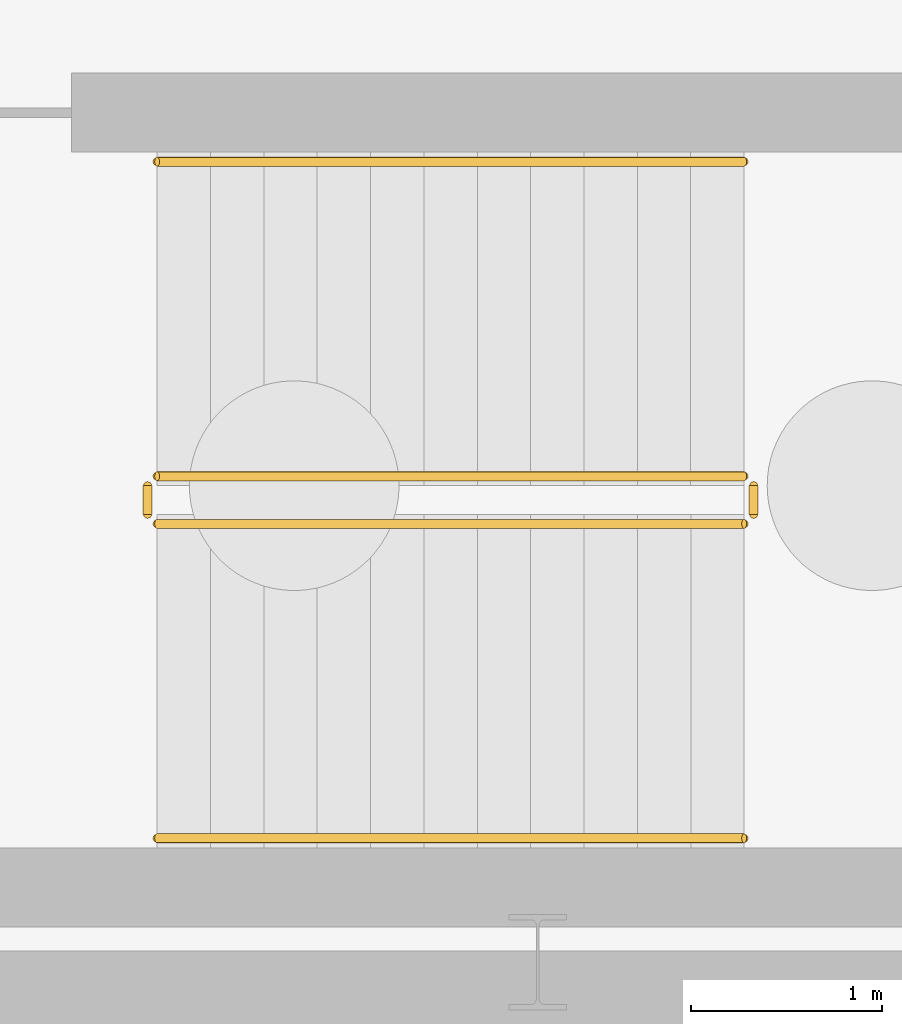
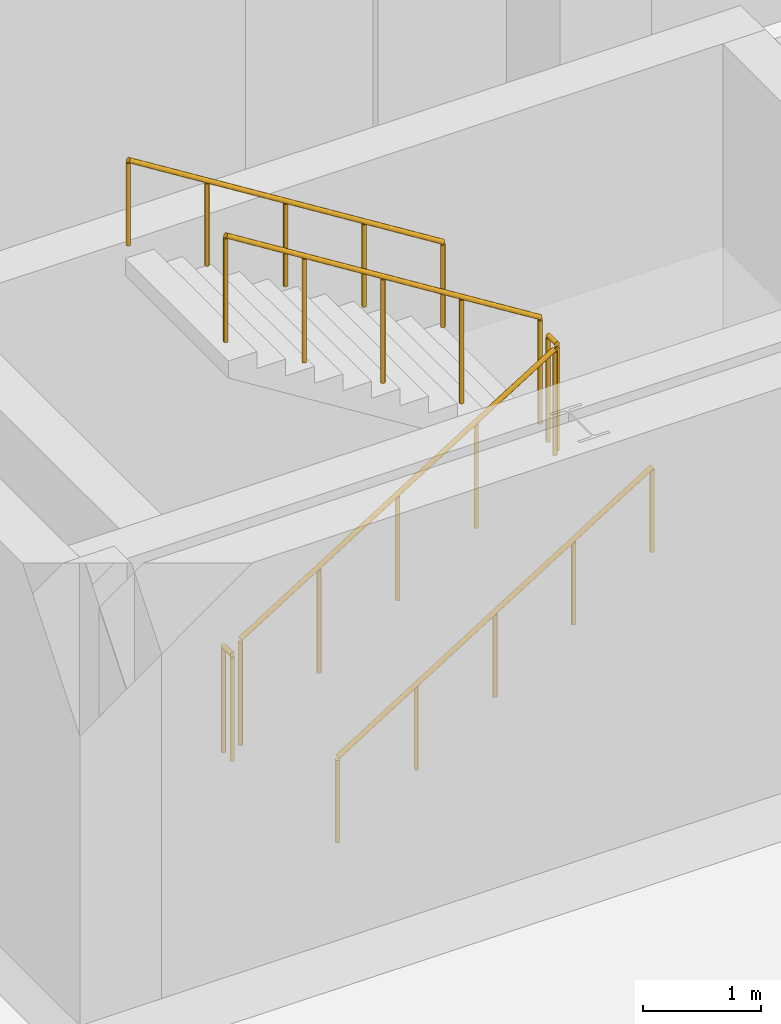
# One storey, part 25 of 31: 6 railings.
"""IFC4 building model written with IfcOpenShell, lengths in metres."""

import ifcopenshell
import ifcopenshell.guid

model = None  # the IFC model being written
_history = None  # IfcOwnerHistory: only IFC2X3 demands one
_inside = {}  # id of a spatial element -> (the spatial element, [elements in it])
_under = {}  # id of a project, library or spatial element -> (it, [spatial elements below it])
_declared = {}  # id of a project -> (the project, [libraries it declares])
_typed = {}  # id of a type object -> (the type object, [elements of that type])
_made_of = {}  # id of a material, layer set ... -> (it, [elements and type objects made of it])


def new_model(schema):
    """Start an empty IFC model of exactly this schema.

    Asked for "IFC4X3", IfcOpenShell would pick the latest addendum, in which some entities
    have other attributes; the version numbers below select the first issue.
    IFC2X3 requires an IfcOwnerHistory on every rooted entity: one is made here for all.
    """
    global model, _history
    if schema == "IFC4X3":
        model = ifcopenshell.file(schema_version=(4, 3, 0, 0))
    else:
        model = ifcopenshell.file(schema=schema)
    _inside.clear()
    _under.clear()
    _declared.clear()
    _typed.clear()
    _made_of.clear()
    _history = None
    if model.schema == "IFC2X3":
        org = make("IfcOrganization", Name="unknown")
        user = make(
            "IfcPersonAndOrganization",
            ThePerson=make("IfcPerson", FamilyName="unknown"),
            TheOrganization=org,
        )
        app = make(
            "IfcApplication",
            ApplicationDeveloper=org,
            Version="unknown",
            ApplicationFullName="unknown",
            ApplicationIdentifier="unknown",
        )
        _history = make(
            "IfcOwnerHistory",
            OwningUser=user,
            OwningApplication=app,
            ChangeAction="ADDED",
            CreationDate=0,
        )
    return model


def make(cls, **values):
    """One entity of the class cls with the attributes given. An attribute that is None is left unset."""
    return model.create_entity(
        cls, **{name: value for name, value in values.items() if value is not None}
    )


def rooted(cls, **values):
    """An entity with a GlobalId (a new one), such as an element, a storey or a relation."""
    return make(cls, GlobalId=ifcopenshell.guid.new(), OwnerHistory=_history, **values)


def si_unit(unit_type, name, prefix=None):
    """IfcSIUnit, for example si_unit("LENGTHUNIT", "METRE", prefix="MILLI")."""
    return make("IfcSIUnit", UnitType=unit_type, Prefix=prefix, Name=name)


def assignment(units):
    """IfcUnitAssignment: the units of a project."""
    return None if units is None else make("IfcUnitAssignment", Units=units)


def point(xyz):
    """IfcCartesianPoint."""
    return None if xyz is None else make("IfcCartesianPoint", Coordinates=xyz)


def direction(xyz):
    """IfcDirection."""
    return None if xyz is None else make("IfcDirection", DirectionRatios=xyz)


def frame(location, z_axis=None, x_axis=None):
    """IfcAxis2Placement3D, a coordinate frame: its origin and axes. An axis left out is left unset."""
    return make(
        "IfcAxis2Placement3D",
        Location=point(location),
        Axis=direction(z_axis),
        RefDirection=direction(x_axis),
    )


def frame_2d(location, x_axis=None):
    """IfcAxis2Placement2D, a coordinate frame in the plane: its origin and x axis."""
    return make(
        "IfcAxis2Placement2D", Location=point(location), RefDirection=direction(x_axis)
    )


def origin():
    """The frame at (0, 0, 0) with its axes left unset."""
    return frame((0.0, 0.0, 0.0))


def origin_2d():
    """The frame at (0, 0) in the plane with its x axis left unset."""
    return frame_2d((0.0, 0.0))


def place(relative_to, where):
    """IfcLocalPlacement: puts the frame where relative to a parent placement (None: the world)."""
    return make(
        "IfcLocalPlacement", PlacementRelTo=relative_to, RelativePlacement=where
    )


def context(
    kind, dimensions, precision=None, world=None, true_north=None, identifier=None
):
    """IfcGeometricRepresentationContext, for example the 3D "Model" context."""
    return make(
        "IfcGeometricRepresentationContext",
        ContextIdentifier=identifier,
        ContextType=kind,
        CoordinateSpaceDimension=dimensions,
        Precision=precision,
        WorldCoordinateSystem=world,
        TrueNorth=true_north,
    )


def subcontext(parent, identifier, kind, view, scale=None):
    """IfcGeometricRepresentationSubContext, for example "Body" below "Model"."""
    return make(
        "IfcGeometricRepresentationSubContext",
        ContextIdentifier=identifier,
        ContextType=kind,
        ParentContext=parent,
        TargetScale=scale,
        TargetView=view,
    )


def project(units=None, contexts=None):
    """IfcProject with its units and contexts."""
    return rooted(
        "IfcProject",
        Name="project",
        RepresentationContexts=contexts,
        UnitsInContext=assignment(units),
    )


def spatial(cls, under=None, at=None, **own):
    """A site, building, storey or space (cls), placed at a placement, below another one or the project."""
    s = rooted(cls, ObjectPlacement=at, **own)
    if under is not None:
        _under.setdefault(under.id(), (under, []))[1].append(s)
    return s


def profile(cls, at=None, kind="AREA", **sizes):
    """A parametric profile (cls). Its sizes go by their IFC names, for example OverallWidth=200.0."""
    return make(cls, ProfileType=kind, Position=at, **sizes)


def circle(**sizes):
    """IfcCircleProfileDef."""
    return profile("IfcCircleProfileDef", **sizes)


def extrude(swept, where, along, depth):
    """IfcExtrudedAreaSolid: the profile swept, set in the frame where, extruded along a direction by depth."""
    return make(
        "IfcExtrudedAreaSolid",
        SweptArea=swept,
        Position=where,
        ExtrudedDirection=direction(along),
        Depth=depth,
    )


def shape(context_of_items, identifier, shape_type, items):
    """IfcShapeRepresentation: the items that make up one representation, for example the "Body"."""
    return make(
        "IfcShapeRepresentation",
        ContextOfItems=context_of_items,
        RepresentationIdentifier=identifier,
        RepresentationType=shape_type,
        Items=items,
    )


def material(Name=None, Category=None):
    """IfcMaterial."""
    return make("IfcMaterial", Name=Name, Category=Category)


def made_of(thing, what):
    """Note that an element or type object is made of a material, layer set ...; save() writes the relation."""
    if what is not None:
        _made_of.setdefault(what.id(), (what, []))[1].append(thing)
    return thing


def type_object(cls, material=None, **own):
    """A type object (cls), such as IfcWallType, which elements share."""
    return made_of(rooted(cls, **own), material)


def element(
    cls,
    number,
    at=None,
    inside=None,
    cuts=None,
    type_object=None,
    material=None,
    context=None,
    identifier="Body",
    shape_type=None,
    held_by="IfcProductDefinitionShape",
    body=None,
    shapes=None,
    **own,
):
    """One element of the class cls, such as IfcWall. Its Tag is "e" and its number.

    at: its placement. inside: the storey or other place that contains it. cuts: it is an
    opening in that element (IfcRelVoidsElement). A single representation is given by context,
    identifier, shape_type and body (its items); several are given by shapes. held_by: the class
    of the entity that holds the representations. save() writes the other relations.
    """
    e = rooted(cls, Tag="e%d" % number, ObjectPlacement=at, **own)
    if body is not None:
        shapes = [shape(context, identifier, shape_type, body)]
    if shapes is not None:
        e.Representation = make(held_by, Representations=shapes)
    if inside is not None:
        _inside.setdefault(inside.id(), (inside, []))[1].append(e)
    if cuts is not None:
        rooted(
            "IfcRelVoidsElement", RelatingBuildingElement=cuts, RelatedOpeningElement=e
        )
    if type_object is not None:
        _typed.setdefault(type_object.id(), (type_object, []))[1].append(e)
    return made_of(e, material)


def aggregate(whole, parts):
    """IfcRelAggregates: a whole, such as a stair, and the parts it consists of."""
    return rooted("IfcRelAggregates", RelatingObject=whole, RelatedObjects=parts)


def save(model, path):
    """Write the relations noted so far, then the file.

    IfcRelAggregates (storeys below a building ...), IfcRelContainedInSpatialStructure (elements
    in a storey), IfcRelDefinesByType, IfcRelAssociatesMaterial and IfcRelDeclares: one each for
    every whole, place, type object, material and project.
    """
    for whole, parts in _under.values():
        aggregate(whole, parts)
    for where, things in _inside.values():
        rooted(
            "IfcRelContainedInSpatialStructure",
            RelatedElements=things,
            RelatingStructure=where,
        )
    for kind, things in _typed.values():
        rooted("IfcRelDefinesByType", RelatedObjects=things, RelatingType=kind)
    for what, things in _made_of.values():
        rooted("IfcRelAssociatesMaterial", RelatedObjects=things, RelatingMaterial=what)
    for by, libraries in _declared.values():
        rooted("IfcRelDeclares", RelatingContext=by, RelatedDefinitions=libraries)
    model.write(path)


model = new_model("IFC4")

# Units and contexts
model_context = context("Model", 3, precision=1e-05, world=origin(), true_north=direction((0.0, 1.0)))
body_context = subcontext(model_context, "Body", "Model", "MODEL_VIEW")
ifc_project = project(units=[si_unit("LENGTHUNIT", "METRE"), si_unit("AREAUNIT", "SQUARE_METRE"), si_unit("VOLUMEUNIT", "CUBIC_METRE"), si_unit("PLANEANGLEUNIT", "RADIAN"), si_unit("MASSUNIT", "GRAM", prefix="KILO")], contexts=[model_context])

# Site, building, storey
site_placement = place(None, origin())
site = spatial("IfcSite", under=ifc_project, at=site_placement, CompositionType="ELEMENT")
building_placement = place(site_placement, origin())
building = spatial("IfcBuilding", under=site, at=building_placement, Name="Qalavern Law Courts", CompositionType="ELEMENT")
storey_placement = place(building_placement, frame((0.0, 0.0, -8.39990234375)))
storey = spatial("IfcBuildingStorey", under=building, at=storey_placement, Name="B2", CompositionType="ELEMENT", Elevation=-8.39990234375)

# Railings
ifc_material = material(Name="Steel S355", Category="steel")
railing_type_1 = type_object("IfcRailingType", Name="INT-GUARD-1120", PredefinedType="BALUSTRADE", material=ifc_material)
railing_1_placement = place(storey_placement, frame((37.35009765625, 7.89990234375, 0.1748046875)))
element("IfcRailing", 1, at=railing_1_placement, inside=storey, type_object=railing_type_1, Name="B2 ST-K4 stair guard 1", PredefinedType="BALUSTRADE", context=body_context, shape_type="SweptSolid", body=[
    extrude(circle(Radius=0.02392578125, at=origin_2d()), frame((0.0, 0.0, 1.09619140625), z_axis=(0.847979421464, 0.0, 0.530029150871), x_axis=(0.0, 1.0, 0.0)), (0.0, 0.0, 1.0), 3.632080078125),
    extrude(circle(Radius=0.02099609375, at=origin_2d()), origin(), (0.0, 0.0, 1.0), 1.072021484375),
    extrude(circle(Radius=0.02099609375, at=origin_2d()), frame((0.77001953125, 0.0, 0.481201171875)), (0.0, 0.0, 1.0), 1.072021484375),
    extrude(circle(Radius=0.02099609375, at=origin_2d()), frame((1.5400390625, 0.0, 0.96240234375)), (0.0, 0.0, 1.0), 1.072021484375),
    extrude(circle(Radius=0.02099609375, at=origin_2d()), frame((2.309814453125, 0.0, 1.44384765625)), (0.0, 0.0, 1.0), 1.072021484375),
    extrude(circle(Radius=0.02099609375, at=origin_2d()), frame((3.079833984375, 0.0, 1.925048828125)), (0.0, 0.0, 1.0), 1.072021484375),
])
railing_2_placement = place(storey_placement, frame((40.47998046875, 7.949951171875, 2.099853515625)))
element("IfcRailing", 2, at=railing_2_placement, inside=storey, type_object=railing_type_1, Name="B2 ST-K4 stair guard 2", PredefinedType="BALUSTRADE", context=body_context, shape_type="SweptSolid", body=[
    extrude(circle(Radius=0.02392578125, at=origin_2d()), frame((0.0, 0.0, 1.09619140625), z_axis=(0.0, 1.0, 0.0), x_axis=(-1.0, 0.0, 0.0)), (0.0, 0.0, 1.0), 0.150146484375),
    extrude(circle(Radius=0.02099609375, at=origin_2d()), origin(), (0.0, 0.0, 1.0), 1.072021484375),
    extrude(circle(Radius=0.02099609375, at=origin_2d()), frame((0.0, 0.150146484375, 0.0)), (0.0, 0.0, 1.0), 1.072021484375),
])
railing_3_placement = place(storey_placement, frame((40.429931640625, 8.14990234375, 2.27490234375)))
element("IfcRailing", 3, at=railing_3_placement, inside=storey, type_object=railing_type_1, Name="B2 ST-K4 stair guard 3", PredefinedType="BALUSTRADE", context=body_context, shape_type="SweptSolid", body=[
    extrude(circle(Radius=0.02392578125, at=origin_2d()), frame((0.0, 0.0, 1.09619140625), z_axis=(-0.847979421464, 0.0, 0.530029150871), x_axis=(0.0, -1.0, 0.0)), (0.0, 0.0, 1.0), 3.632080078125),
    extrude(circle(Radius=0.02099609375, at=origin_2d()), origin(), (0.0, 0.0, 1.0), 1.072021484375),
    extrude(circle(Radius=0.02099609375, at=origin_2d()), frame((-0.77001953125, 0.0, 0.481201171875)), (0.0, 0.0, 1.0), 1.072021484375),
    extrude(circle(Radius=0.02099609375, at=origin_2d()), frame((-1.5400390625, 0.0, 0.96240234375)), (0.0, 0.0, 1.0), 1.072021484375),
    extrude(circle(Radius=0.02099609375, at=origin_2d()), frame((-2.309814453125, 0.0, 1.44384765625)), (0.0, 0.0, 1.0), 1.072021484375),
    extrude(circle(Radius=0.02099609375, at=origin_2d()), frame((-3.079833984375, 0.0, 1.925048828125)), (0.0, 0.0, 1.0), 1.072021484375),
])
railing_4_placement = place(storey_placement, frame((37.300048828125, 7.949951171875, 0.0)))
element("IfcRailing", 4, at=railing_4_placement, inside=storey, type_object=railing_type_1, Name="B2 ST-K4 stair guard 4", PredefinedType="BALUSTRADE", context=body_context, shape_type="SweptSolid", body=[
    extrude(circle(Radius=0.02392578125, at=origin_2d()), frame((0.0, 0.0, 1.09619140625), z_axis=(0.0, 1.0, 0.0), x_axis=(-1.0, 0.0, 0.0)), (0.0, 0.0, 1.0), 0.150146484375),
    extrude(circle(Radius=0.02099609375, at=origin_2d()), origin(), (0.0, 0.0, 1.0), 1.072021484375),
    extrude(circle(Radius=0.02099609375, at=origin_2d()), frame((0.0, 0.150146484375, 0.0)), (0.0, 0.0, 1.0), 1.072021484375),
])
railing_type_2 = type_object("IfcRailingType", Name="INT-HRAIL-920", PredefinedType="HANDRAIL", material=ifc_material)
railing_5_placement = place(storey_placement, frame((37.35009765625, 6.25, 0.1748046875)))
element("IfcRailing", 5, at=railing_5_placement, inside=storey, type_object=railing_type_2, Name="B2 ST-K4 stair handrail 1", PredefinedType="HANDRAIL", context=body_context, shape_type="SweptSolid", body=[
    extrude(circle(Radius=0.02392578125, at=origin_2d()), frame((0.0, 0.0, 0.8759765625), z_axis=(0.847979421464, 0.0, 0.530029150871), x_axis=(0.0, 1.0, 0.0)), (0.0, 0.0, 1.0), 3.632080078125),
    extrude(circle(Radius=0.02099609375, at=origin_2d()), origin(), (0.0, 0.0, 1.0), 0.851806640625),
    extrude(circle(Radius=0.02099609375, at=origin_2d()), frame((0.77001953125, 0.0, 0.481201171875)), (0.0, 0.0, 1.0), 0.851806640625),
    extrude(circle(Radius=0.02099609375, at=origin_2d()), frame((1.5400390625, 0.0, 0.96240234375)), (0.0, 0.0, 1.0), 0.851806640625),
    extrude(circle(Radius=0.02099609375, at=origin_2d()), frame((2.309814453125, 0.0, 1.44384765625)), (0.0, 0.0, 1.0), 0.851806640625),
    extrude(circle(Radius=0.02099609375, at=origin_2d()), frame((3.079833984375, 0.0, 1.925048828125)), (0.0, 0.0, 1.0), 0.851806640625),
])
railing_6_placement = place(storey_placement, frame((40.429931640625, 9.800048828125, 2.27490234375)))
element("IfcRailing", 6, at=railing_6_placement, inside=storey, type_object=railing_type_2, Name="B2 ST-K4 stair handrail 2", PredefinedType="HANDRAIL", context=body_context, shape_type="SweptSolid", body=[
    extrude(circle(Radius=0.02392578125, at=origin_2d()), frame((0.0, 0.0, 0.8759765625), z_axis=(-0.847979421464, 0.0, 0.530029150871), x_axis=(0.0, -1.0, 0.0)), (0.0, 0.0, 1.0), 3.632080078125),
    extrude(circle(Radius=0.02099609375, at=origin_2d()), origin(), (0.0, 0.0, 1.0), 0.851806640625),
    extrude(circle(Radius=0.02099609375, at=origin_2d()), frame((-0.77001953125, 0.0, 0.481201171875)), (0.0, 0.0, 1.0), 0.851806640625),
    extrude(circle(Radius=0.02099609375, at=origin_2d()), frame((-1.5400390625, 0.0, 0.96240234375)), (0.0, 0.0, 1.0), 0.851806640625),
    extrude(circle(Radius=0.02099609375, at=origin_2d()), frame((-2.309814453125, 0.0, 1.44384765625)), (0.0, 0.0, 1.0), 0.851806640625),
    extrude(circle(Radius=0.02099609375, at=origin_2d()), frame((-3.079833984375, 0.0, 1.925048828125)), (0.0, 0.0, 1.0), 0.851806640625),
])

save(model, "model.ifc")
